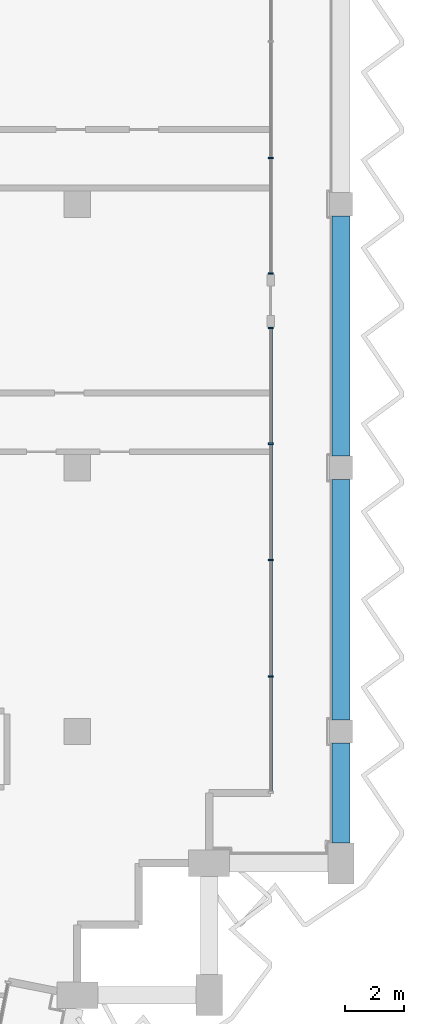
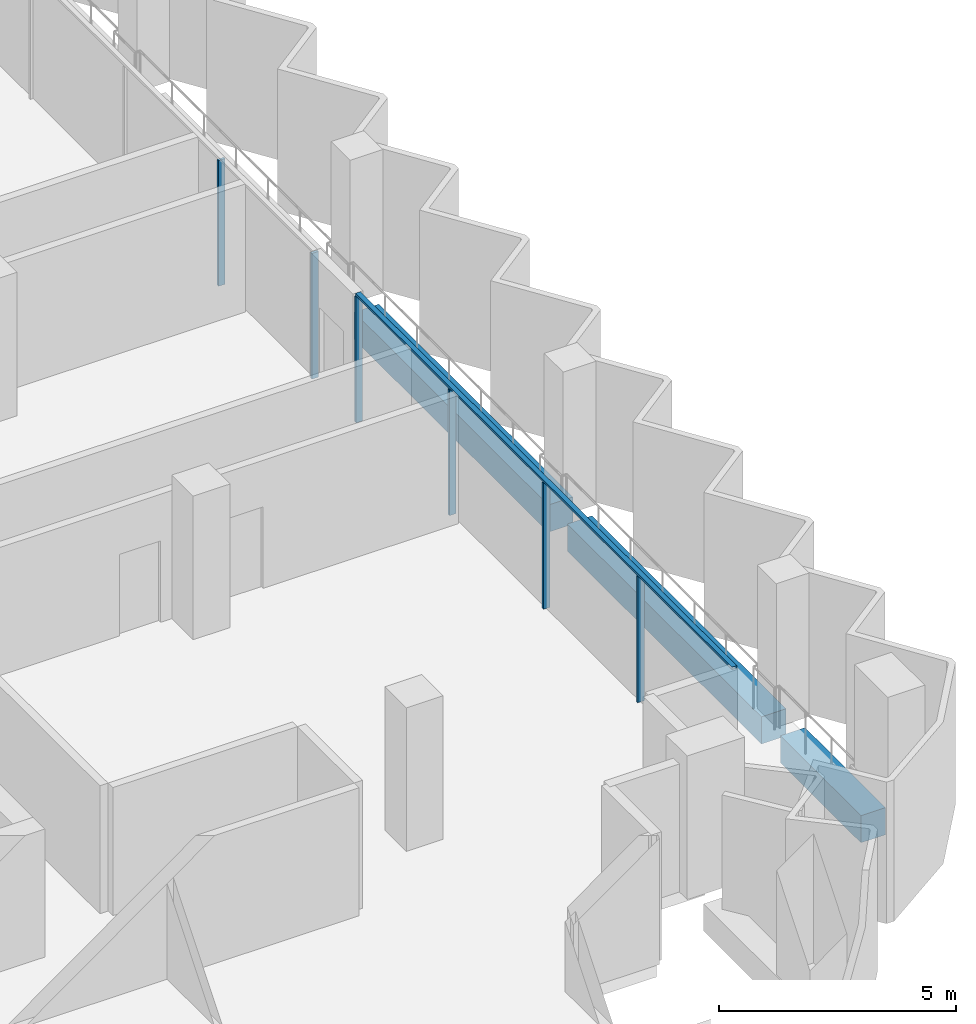
# One storey, part 4 of 14: 7 members, 3 beams, 2 elements without a shape of their own.
"""IFC4 building model written with IfcOpenShell, lengths in metres."""

from ifc_helpers import new_model, si_unit, direction, frame, origin, origin_2d, place, context, subcontext, project, spatial, rectangle, extrude, material, material_profile, profile_set, type_object, element, aggregate, save


model = new_model("IFC4")

# Units and contexts
model_context = context("Model", 3, precision=1e-05, world=origin(), true_north=direction((0.0, 1.0)))
body_context = subcontext(model_context, "Body", "Model", "MODEL_VIEW")
ifc_project = project(units=[si_unit("LENGTHUNIT", "METRE"), si_unit("AREAUNIT", "SQUARE_METRE"), si_unit("VOLUMEUNIT", "CUBIC_METRE"), si_unit("PLANEANGLEUNIT", "RADIAN"), si_unit("MASSUNIT", "GRAM", prefix="KILO")], contexts=[model_context])

# Site, building, storey
site_placement = place(None, origin())
site = spatial("IfcSite", under=ifc_project, at=site_placement, CompositionType="ELEMENT")
building_placement = place(site_placement, origin())
building = spatial("IfcBuilding", under=site, at=building_placement, Name="Hunhe Ridgeline Campus", CompositionType="ELEMENT")
storey_placement = place(building_placement, frame((0.0, 0.0, 288.199951171875)))
storey = spatial("IfcBuildingStorey", under=building, at=storey_placement, Name="L74", CompositionType="ELEMENT", Elevation=288.199951171875)

# Curtain wall, members
ifc_material_1 = material(Name="Aluminium 6063", Category="aluminium")
curtain_wall_type = type_object("IfcCurtainWallType", Name="Curtain wall CW-1", PredefinedType="NOTDEFINED", material=ifc_material_1)
curtain_wall_1_placement = place(storey_placement, origin())
curtain_wall_1 = element("IfcCurtainWall", 1, at=curtain_wall_1_placement, inside=storey, type_object=curtain_wall_type, Name="Curtain wall 11", PredefinedType="NOTDEFINED")
ifc_material_profile_1 = material_profile(ifc_material_1, rectangle(XDim=0.159912109375, YDim=0.06005859375, at=origin_2d()))
ifc_profile_set_1 = profile_set([ifc_material_profile_1], Name="Aluminium 6063")
member_type_1 = type_object("IfcMemberType", Name="CW-1 aluminium mullion", PredefinedType="MULLION", material=ifc_profile_set_1)
member_1_placement = place(storey_placement, frame((51.59912109375, 64.8759765625, 0.0), z_axis=(0.0, 0.0, 1.0), x_axis=(-1.0, 0.0, 0.0)))
member_1 = element("IfcMember", 2, at=member_1_placement, type_object=member_type_1, Name="CW-1 mullion 2", PredefinedType="MULLION", context=body_context, shape_type="SweptSolid", body=[
    extrude(rectangle(XDim=0.159912109375, YDim=0.06005859375, at=origin_2d()), origin(), (0.0, 0.0, 1.0), 3.239990234375),
])
member_2_placement = place(storey_placement, frame((51.59912109375, 68.850830078125, 0.0), z_axis=(0.0, 0.0, 1.0), x_axis=(-1.0, 0.0, 0.0)))
member_2 = element("IfcMember", 3, at=member_2_placement, type_object=member_type_1, Name="CW-1 mullion 3", PredefinedType="MULLION", context=body_context, shape_type="SweptSolid", body=[
    extrude(rectangle(XDim=0.159912109375, YDim=0.06005859375, at=origin_2d()), origin(), (0.0, 0.0, 1.0), 3.239990234375),
])
member_3_placement = place(storey_placement, frame((51.59912109375, 72.82568359375, 0.0), z_axis=(0.0, 0.0, 1.0), x_axis=(-1.0, 0.0, 0.0)))
member_3 = element("IfcMember", 4, at=member_3_placement, type_object=member_type_1, Name="CW-1 mullion 4", PredefinedType="MULLION", context=body_context, shape_type="SweptSolid", body=[
    extrude(rectangle(XDim=0.159912109375, YDim=0.06005859375, at=origin_2d()), origin(), (0.0, 0.0, 1.0), 3.239990234375),
])
member_4_placement = place(storey_placement, frame((51.59912109375, 76.7705078125, 0.0), z_axis=(0.0, 0.0, 1.0), x_axis=(-1.0, 0.0, 0.0)))
member_4 = element("IfcMember", 5, at=member_4_placement, type_object=member_type_1, Name="CW-1 mullion 5", PredefinedType="MULLION", context=body_context, shape_type="SweptSolid", body=[
    extrude(rectangle(XDim=0.159912109375, YDim=0.06005859375, at=origin_2d()), origin(), (0.0, 0.0, 1.0), 3.239990234375),
])

curtain_wall_2_placement = place(storey_placement, origin())
curtain_wall_2 = element("IfcCurtainWall", 6, at=curtain_wall_2_placement, inside=storey, type_object=curtain_wall_type, Name="Curtain wall 12", PredefinedType="NOTDEFINED")
member_5_placement = place(storey_placement, frame((51.59912109375, 78.630615234375, 0.0), z_axis=(0.0, 0.0, 1.0), x_axis=(-1.0, 0.0, 0.0)))
member_5 = element("IfcMember", 7, at=member_5_placement, type_object=member_type_1, Name="CW-1 mullion 1", PredefinedType="MULLION", context=body_context, shape_type="SweptSolid", body=[
    extrude(rectangle(XDim=0.159912109375, YDim=0.06005859375, at=origin_2d()), origin(), (0.0, 0.0, 1.0), 3.239990234375),
])
member_6_placement = place(storey_placement, frame((51.59912109375, 82.575439453125, 0.0), z_axis=(0.0, 0.0, 1.0), x_axis=(-1.0, 0.0, 0.0)))
member_6 = element("IfcMember", 8, at=member_6_placement, type_object=member_type_1, Name="CW-1 mullion 2", PredefinedType="MULLION", context=body_context, shape_type="SweptSolid", body=[
    extrude(rectangle(XDim=0.159912109375, YDim=0.06005859375, at=origin_2d()), origin(), (0.0, 0.0, 1.0), 3.239990234375),
])
aggregate(curtain_wall_2, [member_5, member_6])

# Member
ifc_material_profile_2 = material_profile(ifc_material_1, rectangle(XDim=0.1201171875, YDim=0.06005859375, at=origin_2d()))
ifc_profile_set_2 = profile_set([ifc_material_profile_2], Name="Aluminium 6063")
member_type_2 = type_object("IfcMemberType", Name="CW-1 aluminium transom", PredefinedType="USERDEFINED", material=ifc_profile_set_2)
member_7_placement = place(storey_placement, frame((51.59912109375, 60.90087890625, 3.27001953125), z_axis=(0.0, 1.0, 0.0), x_axis=(-1.0, 0.0, 0.0)))
member_7 = element("IfcMember", 9, at=member_7_placement, type_object=member_type_2, Name="CW-1 transom 1", ObjectType="TRANSOM", PredefinedType="USERDEFINED", context=body_context, shape_type="SweptSolid", body=[
    extrude(rectangle(XDim=0.1201171875, YDim=0.06005859375, at=origin_2d()), origin(), (0.0, 0.0, 1.0), 15.899658203125),
])

aggregate(curtain_wall_1, [member_7, member_1, member_2, member_3, member_4])

# Beams
ifc_material_2 = material(Name="Concrete C50", Category="concrete")
ifc_material_profile_3 = material_profile(ifc_material_2, rectangle(XDim=0.60009765625, YDim=0.699951171875, at=origin_2d()))
ifc_profile_set_3 = profile_set([ifc_material_profile_3], Name="Concrete C50")
beam_type = type_object("IfcBeamType", Name="RC spandrel beam 600x700 Concrete C50", PredefinedType="SPANDREL", material=ifc_profile_set_3)
beam_placement = place(storey_placement, frame((54.0, 59.199951171875, -0.599853515625), z_axis=(0.0, 1.0, 0.0), x_axis=(-1.0, 0.0, 0.0)))
element("IfcBeam", 10, at=beam_placement, inside=storey, type_object=beam_type, Name="Spandrel beam B4-12 L74", PredefinedType="SPANDREL", context=body_context, shape_type="SweptSolid", body=[
    extrude(rectangle(XDim=0.60009765625, YDim=0.699951171875, at=origin_2d()), origin(), (0.0, 0.0, 1.0), 3.400146484375),
])
for number, where, z_axis, x_axis, name in (
    (11, (54.0, 63.39990234375, -0.599853515625), (0.0, 1.0, 0.0), (-1.0, 0.0, 0.0), "Spandrel beam B4-13 L74"),
    (12, (54.0, 72.39990234375, -0.599853515625), (0.0, 1.0, 0.0), (-1.0, 0.0, 0.0), "Spandrel beam B4-14 L74"),
):
    element("IfcBeam", number, at=place(storey_placement, frame(where, z_axis=z_axis, x_axis=x_axis)), inside=storey, type_object=beam_type, Name=name, PredefinedType="SPANDREL", context=body_context, shape_type="SweptSolid", body=[
        extrude(rectangle(XDim=0.60009765625, YDim=0.699951171875, at=origin_2d()), origin(), (0.0, 0.0, 1.0), 8.2001953125),
    ])

save(model, "model.ifc")
